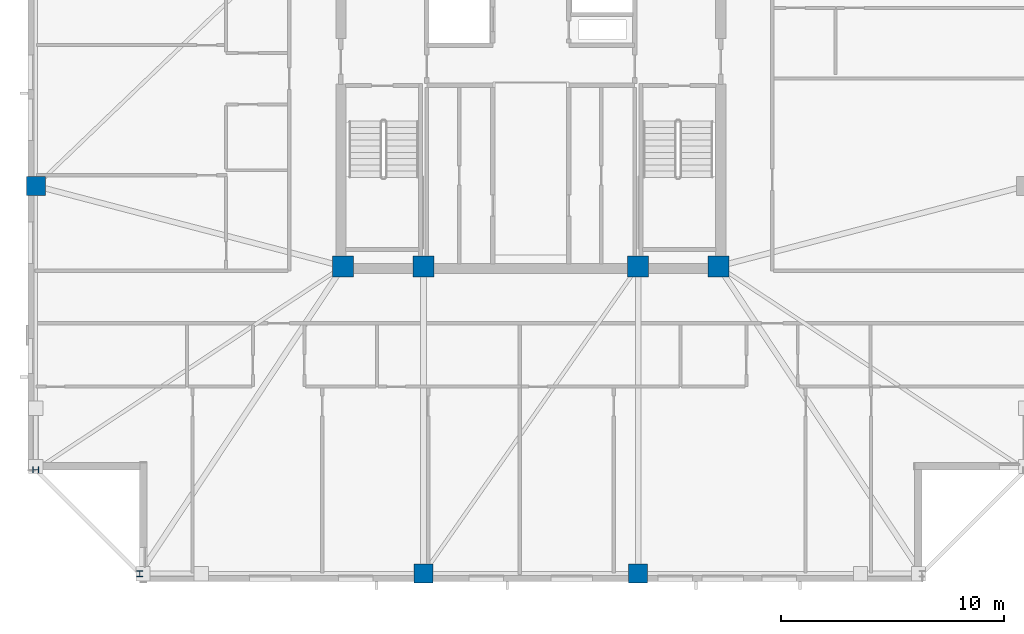
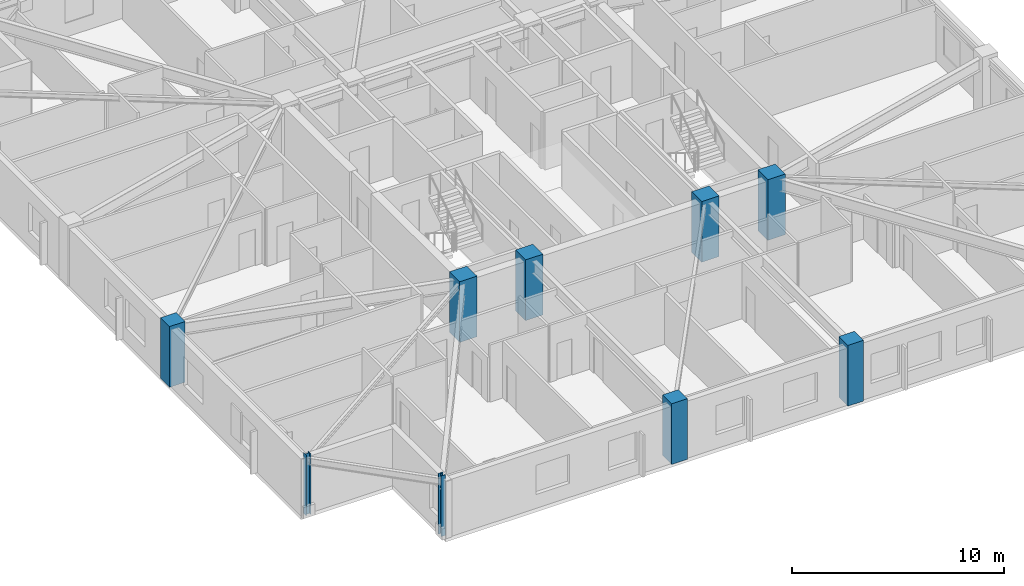
# One storey, part 1 of 17: 9 columns.
"""IFC4 building model written with IfcOpenShell, lengths in metres."""

from ifc_helpers import new_model, si_unit, direction, frame, origin, origin_2d, place, context, subcontext, project, spatial, rectangle, i_section, extrude, material, material_profile, profile_set, type_object, element, save


model = new_model("IFC4")

# Units and contexts
model_context = context("Model", 3, precision=1e-05, world=origin(), true_north=direction((0.0, 1.0)))
body_context = subcontext(model_context, "Body", "Model", "MODEL_VIEW")
ifc_project = project(units=[si_unit("LENGTHUNIT", "METRE"), si_unit("AREAUNIT", "SQUARE_METRE"), si_unit("VOLUMEUNIT", "CUBIC_METRE"), si_unit("PLANEANGLEUNIT", "RADIAN"), si_unit("MASSUNIT", "GRAM", prefix="KILO")], contexts=[model_context])

# Site, building, storey
site_placement = place(None, origin())
site = spatial("IfcSite", under=ifc_project, at=site_placement, CompositionType="ELEMENT")
building_placement = place(site_placement, origin())
building = spatial("IfcBuilding", under=site, at=building_placement, Name="Cairnveth Concourse Tower", CompositionType="ELEMENT")
storey_placement = place(building_placement, frame((0.0, 0.0, 206.0)))
storey = spatial("IfcBuildingStorey", under=building, at=storey_placement, Name="L56", CompositionType="ELEMENT", Elevation=206.0)

# Columns
ifc_material_1 = material(Name="Concrete N65 (65 MPa)", Category="concrete")
ifc_material_profile_1 = material_profile(ifc_material_1, rectangle(XDim=0.949951171875, YDim=0.949951171875, at=origin_2d()), Name="RC-COL-950x950")
ifc_profile_set_1 = profile_set([ifc_material_profile_1], Name="Concrete N65 (65 MPa)")
column_type_1 = type_object("IfcColumnType", Name="CORE COLUMN 950X950", PredefinedType="COLUMN", material=ifc_profile_set_1)
for number, where, z_axis, x_axis, name in (
    (1, (43.60009765625, 30.60009765625, 0.0), (0.0, 0.0, 1.0), (1.0, 0.0, 0.0), "Column CC1 L56"),
    (2, (47.199951171875, 30.60009765625, 0.0), (0.0, 0.0, 1.0), (1.0, 0.0, 0.0), "Column CC2 L56"),
    (3, (56.800048828125, 30.60009765625, 0.0), (0.0, 0.0, 1.0), (1.0, 0.0, 0.0), "Column CC3 L56"),
    (4, (60.39990234375, 30.60009765625, 0.0), (0.0, 0.0, 1.0), (1.0, 0.0, 0.0), "Column CC4 L56"),
):
    element("IfcColumn", number, at=place(storey_placement, frame(where, z_axis=z_axis, x_axis=x_axis)), inside=storey, type_object=column_type_1, Name=name, PredefinedType="COLUMN", context=body_context, shape_type="SweptSolid", body=[
        extrude(rectangle(XDim=0.949951171875, YDim=0.949951171875, at=origin_2d()), origin(), (0.0, 0.0, 1.0), 3.5),
    ])
ifc_material_profile_2 = material_profile(ifc_material_1, rectangle(XDim=0.85009765625, YDim=0.85009765625, at=origin_2d()), Name="RC-COL-850x850")
ifc_profile_set_2 = profile_set([ifc_material_profile_2], Name="Concrete N65 (65 MPa)")
column_type_2 = type_object("IfcColumnType", Name="PERIMETER PIER COLUMN 850X850", PredefinedType="COLUMN", material=ifc_profile_set_2)
for number, where, z_axis, x_axis, name in (
    (5, (47.199951171875, 16.85009765625, 0.0), (0.0, 0.0, 1.0), (1.0, 0.0, 0.0), "Column P-S2 L56"),
    (6, (56.800048828125, 16.85009765625, 0.0), (0.0, 0.0, 1.0), (1.0, 0.0, 0.0), "Column P-S3 L56"),
    (7, (29.85009765625, 34.199951171875, 0.0), (0.0, 0.0, 1.0), (0.0, 1.0, 0.0), "Column P-W3 L56"),
):
    element("IfcColumn", number, at=place(storey_placement, frame(where, z_axis=z_axis, x_axis=x_axis)), inside=storey, type_object=column_type_2, Name=name, PredefinedType="COLUMN", context=body_context, shape_type="SweptSolid", body=[
        extrude(rectangle(XDim=0.85009765625, YDim=0.85009765625, at=origin_2d()), origin(), (0.0, 0.0, 1.0), 3.5),
    ])
ifc_material_2 = material(Name="Steel Grade 350", Category="steel")
ifc_material_profile_3 = material_profile(ifc_material_2, i_section(OverallWidth=0.256103515625, OverallDepth=0.260009765625, WebThickness=0.010498046875, FlangeThickness=0.017333984375, FilletRadius=0.012939453125, at=origin_2d()), Name="250UC89.5")
ifc_profile_set_3 = profile_set([ifc_material_profile_3], Name="Steel Grade 350")
column_type_3 = type_object("IfcColumnType", Name="UNIVERSAL STEEL COLUMN 250UC89.5", PredefinedType="COLUMN", material=ifc_profile_set_3)
for number, where, z_axis, x_axis, name in (
    (8, (34.5, 16.85009765625, 0.0), (0.0, 0.0, 1.0), (1.0, 0.0, 0.0), "Column P-S1 L56"),
    (9, (29.85009765625, 21.5, 0.0), (0.0, 0.0, 1.0), (0.0, 1.0, 0.0), "Column P-W4 L56"),
):
    element("IfcColumn", number, at=place(storey_placement, frame(where, z_axis=z_axis, x_axis=x_axis)), inside=storey, type_object=column_type_3, Name=name, PredefinedType="COLUMN", context=body_context, shape_type="SweptSolid", body=[
        extrude(i_section(OverallWidth=0.256103515625, OverallDepth=0.260009765625, WebThickness=0.010498046875, FlangeThickness=0.017333984375, FilletRadius=0.012939453125, at=origin_2d()), origin(), (0.0, 0.0, 1.0), 3.5),
    ])

save(model, "model.ifc")
